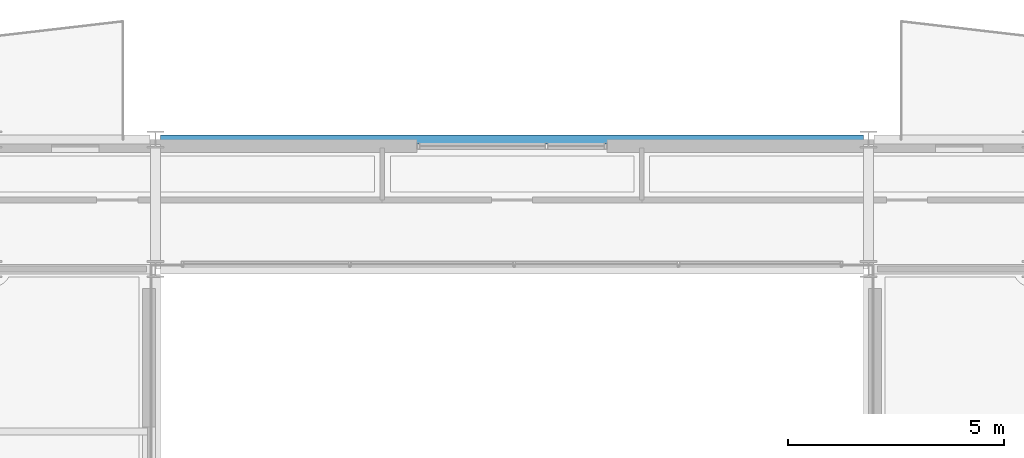
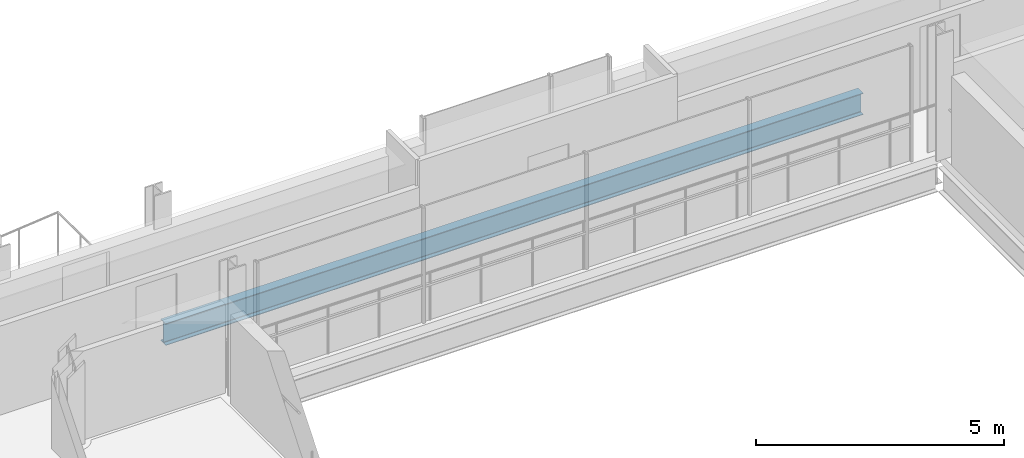
# One storey, part 13 of 36: 1 beam.
"""IFC4 building model written with IfcOpenShell, lengths in metres."""

from ifc_helpers import new_model, si_unit, direction, frame, origin, origin_2d, place, context, subcontext, project, spatial, i_section, extrude, material, material_profile, profile_set, type_object, element, save


model = new_model("IFC4")

# Units and contexts
model_context = context("Model", 3, precision=1e-05, world=origin(), true_north=direction((0.0, 1.0)))
body_context = subcontext(model_context, "Body", "Model", "MODEL_VIEW")
ifc_project = project(units=[si_unit("LENGTHUNIT", "METRE"), si_unit("AREAUNIT", "SQUARE_METRE"), si_unit("VOLUMEUNIT", "CUBIC_METRE"), si_unit("PLANEANGLEUNIT", "RADIAN"), si_unit("MASSUNIT", "GRAM", prefix="KILO")], contexts=[model_context])

# Site, building, storey
site_placement = place(None, origin())
site = spatial("IfcSite", under=ifc_project, at=site_placement, CompositionType="ELEMENT")
building_placement = place(site_placement, origin())
building = spatial("IfcBuilding", under=site, at=building_placement, Name="Brevholm Reach", CompositionType="ELEMENT")
storey_placement = place(building_placement, frame((0.0, 0.0, 175.89990234375)))
storey = spatial("IfcBuildingStorey", under=building, at=storey_placement, Name="L53", CompositionType="ELEMENT", Elevation=175.89990234375)

# Beam
ifc_material = material(Name="Structural Steel S355J2", Category="steel")
ifc_material_profile = material_profile(ifc_material, i_section(OverallWidth=0.209228515625, OverallDepth=0.533203125, WebThickness=0.010009765625, FlangeThickness=0.015625, FilletRadius=0.0126953125, at=origin_2d()), Name="UKB 533x210x92")
ifc_profile_set = profile_set([ifc_material_profile], Name="Structural Steel S355J2")
beam_type = type_object("IfcBeamType", Name="BM-SP533", PredefinedType="SPANDREL", material=ifc_profile_set)
beam_placement = place(storey_placement, frame((21.8701171875, 26.5, -0.4765625), z_axis=(1.0, 0.0, 0.0), x_axis=(0.0, 1.0, 0.0)))
element("IfcBeam", 1, at=beam_placement, inside=storey, type_object=beam_type, Name="L53 SP-02 Framing Beam", PredefinedType="SPANDREL", context=body_context, shape_type="SweptSolid", body=[
    extrude(i_section(OverallWidth=0.209228515625, OverallDepth=0.533203125, WebThickness=0.010009765625, FlangeThickness=0.015625, FilletRadius=0.0126953125, at=origin_2d()), origin(), (0.0, 0.0, 1.0), 16.259765625),
])

save(model, "model.ifc")
